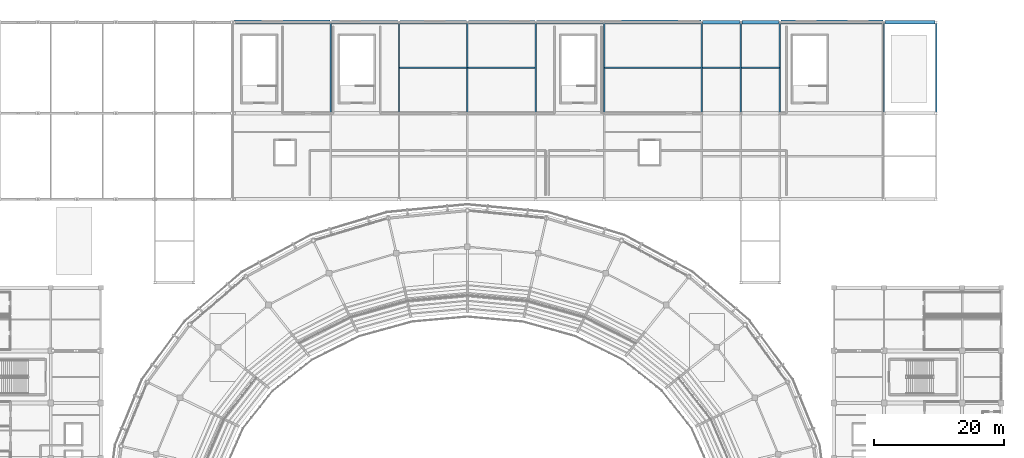
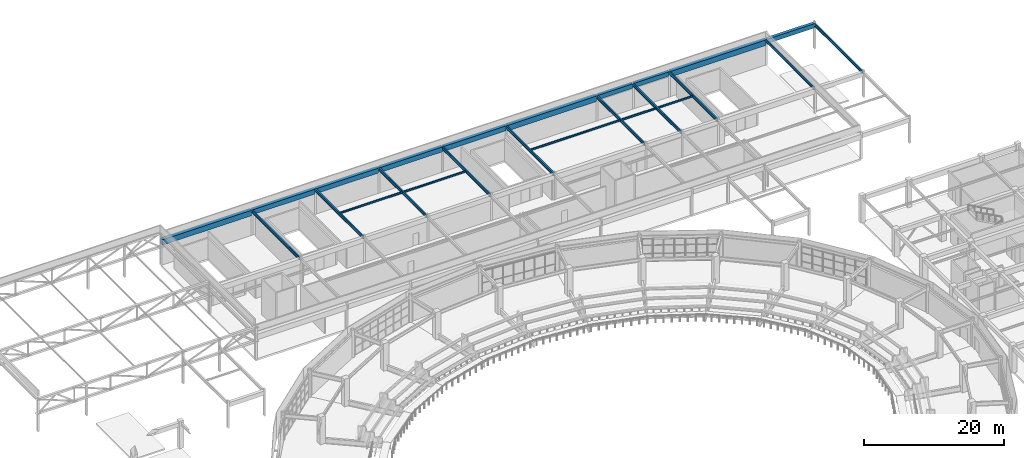
# One storey, part 76 of 122: 25 beams.
"""IFC4 building model written with IfcOpenShell, lengths in metres."""

from ifc_helpers import new_model, si_unit, direction, frame, origin, origin_2d, place, context, subcontext, project, spatial, rectangle, i_section, extrude, material, material_profile, profile_set, type_object, element, save


model = new_model("IFC4")

# Units and contexts
model_context = context("Model", 3, precision=1e-05, world=origin(), true_north=direction((0.0, 1.0)))
body_context = subcontext(model_context, "Body", "Model", "MODEL_VIEW")
ifc_project = project(units=[si_unit("LENGTHUNIT", "METRE"), si_unit("AREAUNIT", "SQUARE_METRE"), si_unit("VOLUMEUNIT", "CUBIC_METRE"), si_unit("PLANEANGLEUNIT", "RADIAN"), si_unit("MASSUNIT", "GRAM", prefix="KILO")], contexts=[model_context])

# Site, building, storey
site_placement = place(None, origin())
site = spatial("IfcSite", under=ifc_project, at=site_placement, CompositionType="ELEMENT")
building_placement = place(site_placement, origin())
building = spatial("IfcBuilding", under=site, at=building_placement, Name="Cuetzalor Civic Arena", CompositionType="ELEMENT")
storey_placement = place(building_placement, frame((0.0, 0.0, 16.199951171875)))
storey = spatial("IfcBuildingStorey", under=building, at=storey_placement, Name="L03", CompositionType="ELEMENT", Elevation=16.199951171875)

# Beams
ifc_material_1 = material(Name="Concrete C40/50", Category="concrete")
ifc_material_profile_1 = material_profile(ifc_material_1, rectangle(XDim=0.5, YDim=0.75, at=origin_2d()), Name="RC 500x750")
ifc_profile_set_1 = profile_set([ifc_material_profile_1], Name="Concrete C40/50")
beam_type_1 = type_object("IfcBeamType", Name="ConcreteFrameBeam_500x750", PredefinedType="BEAM", material=ifc_profile_set_1)
for number, where, z_axis, x_axis, name in (
    (1, (36.142578125, 75.5, 4.125), (1.0, 0.0, 0.0), (0.0, 1.0, 0.0), "Frame Girder V5-L03-X1057"),
    (2, (42.142578125, 75.5, 4.125), (1.0, 0.0, 0.0), (0.0, 1.0, 0.0), "Frame Girder V5-L03-X1058"),
):
    element("IfcBeam", number, at=place(storey_placement, frame(where, z_axis=z_axis, x_axis=x_axis)), inside=storey, type_object=beam_type_1, Name=name, PredefinedType="BEAM", context=body_context, shape_type="SweptSolid", body=[
        extrude(rectangle(XDim=0.5, YDim=0.75, at=origin_2d()), origin(), (0.0, 0.0, 1.0), 5.71484375),
    ])
beam_1_placement = place(storey_placement, frame((64.142578125, 75.5, 4.125), z_axis=(1.0, 0.0, 0.0), x_axis=(0.0, 1.0, 0.0)))
element("IfcBeam", 3, at=beam_1_placement, inside=storey, type_object=beam_type_1, Name="Frame Girder V5-L03-X1060", PredefinedType="BEAM", context=body_context, shape_type="SweptSolid", body=[
    extrude(rectangle(XDim=0.5, YDim=0.75, at=origin_2d()), origin(), (0.0, 0.0, 1.0), 7.71484375),
])
ifc_material_2 = material(Name="Concrete C40/50", Category="concrete")
ifc_material_profile_2 = material_profile(ifc_material_2, rectangle(XDim=0.550048828125, YDim=0.85009765625, at=origin_2d()), Name="RC 550x850")
ifc_profile_set_2 = profile_set([ifc_material_profile_2], Name="Concrete C40/50")
beam_type_2 = type_object("IfcBeamType", Name="ConcreteFrameBeam_550x850", PredefinedType="BEAM", material=ifc_profile_set_2)
for number, where, z_axis, x_axis, name in (
    (4, (-20.857421875, 75.5, 4.074951171875), (1.0, 0.0, 0.0), (0.0, 1.0, 0.0), "Frame Girder V5-L03-X1052"),
    (5, (-10.357421875, 75.5, 4.074951171875), (1.0, 0.0, 0.0), (0.0, 1.0, 0.0), "Frame Girder V5-L03-X1053"),
    (6, (0.142578125, 75.5, 4.074951171875), (1.0, 0.0, 0.0), (0.0, 1.0, 0.0), "Frame Girder V5-L03-X1054"),
    (7, (10.642578125, 75.5, 4.074951171875), (1.0, 0.0, 0.0), (0.0, 1.0, 0.0), "Frame Girder V5-L03-X1055"),
):
    element("IfcBeam", number, at=place(storey_placement, frame(where, z_axis=z_axis, x_axis=x_axis)), inside=storey, type_object=beam_type_2, Name=name, PredefinedType="BEAM", context=body_context, shape_type="SweptSolid", body=[
        extrude(rectangle(XDim=0.550048828125, YDim=0.85009765625, at=origin_2d()), origin(), (0.0, 0.0, 1.0), 10.21484375),
    ])
ifc_material_3 = material(Name="Concrete C40/50", Category="concrete")
ifc_material_profile_3 = material_profile(ifc_material_3, rectangle(XDim=0.60009765625, YDim=0.949951171875, at=origin_2d()), Name="RC 600x950")
ifc_profile_set_3 = profile_set([ifc_material_profile_3], Name="Concrete C40/50")
beam_type_3 = type_object("IfcBeamType", Name="ConcreteFrameBeam_600x950", PredefinedType="BEAM", material=ifc_profile_set_3)
for number, where, z_axis, x_axis, name in (
    (8, (-35.857421875, 75.5, 4.025146484375), (1.0, 0.0, 0.0), (0.0, 1.0, 0.0), "Frame Girder V5-L03-X1051"),
    (9, (21.142578125, 75.5, 4.025146484375), (1.0, 0.0, 0.0), (0.0, 1.0, 0.0), "Frame Girder V5-L03-X1056"),
):
    element("IfcBeam", number, at=place(storey_placement, frame(where, z_axis=z_axis, x_axis=x_axis)), inside=storey, type_object=beam_type_3, Name=name, PredefinedType="BEAM", context=body_context, shape_type="SweptSolid", body=[
        extrude(rectangle(XDim=0.60009765625, YDim=0.949951171875, at=origin_2d()), origin(), (0.0, 0.0, 1.0), 14.71484375),
    ])
beam_2_placement = place(storey_placement, frame((48.142578125, 75.5, 4.025146484375), z_axis=(1.0, 0.0, 0.0), x_axis=(0.0, 1.0, 0.0)))
element("IfcBeam", 10, at=beam_2_placement, inside=storey, type_object=beam_type_3, Name="Frame Girder V5-L03-X1059", PredefinedType="BEAM", context=body_context, shape_type="SweptSolid", body=[
    extrude(rectangle(XDim=0.60009765625, YDim=0.949951171875, at=origin_2d()), origin(), (0.0, 0.0, 1.0), 15.71484375),
])
ifc_material_4 = material(Name="Steel S355", Category="steel")
ifc_material_profile_4 = material_profile(ifc_material_4, i_section(OverallWidth=0.166015625, OverallDepth=0.31298828125, WebThickness=0.006591796875, FlangeThickness=0.01123046875, at=origin_2d()), Name="W310x45")
ifc_profile_set_4 = profile_set([ifc_material_profile_4], Name="Steel S355")
beam_type_4 = type_object("IfcBeamType", Name="SecondaryRoofJoist_W310", PredefinedType="JOIST", material=ifc_profile_set_4)
for number, where, z_axis, x_axis, name in (
    (11, (-10.403564453125, 68.5, 4.343505859375), (1.0, 0.0, 0.0), (0.0, 1.0, 0.0), "Secondary Floor Joist V5-L03-0323"),
    (12, (0.096435546875, 68.5, 4.343505859375), (1.0, 0.0, 0.0), (0.0, 1.0, 0.0), "Secondary Floor Joist V5-L03-0325"),
):
    element("IfcBeam", number, at=place(storey_placement, frame(where, z_axis=z_axis, x_axis=x_axis)), inside=storey, type_object=beam_type_4, Name=name, PredefinedType="JOIST", context=body_context, shape_type="SweptSolid", body=[
        extrude(i_section(OverallWidth=0.166015625, OverallDepth=0.31298828125, WebThickness=0.006591796875, FlangeThickness=0.01123046875, at=origin_2d()), origin(), (0.0, 0.0, 1.0), 10.30712890625),
    ])
beam_3_placement = place(storey_placement, frame((21.096435546875, 68.5, 4.343505859375), z_axis=(1.0, 0.0, 0.0), x_axis=(0.0, 1.0, 0.0)))
element("IfcBeam", 13, at=beam_3_placement, inside=storey, type_object=beam_type_4, Name="Secondary Floor Joist V5-L03-0328", PredefinedType="JOIST", context=body_context, shape_type="SweptSolid", body=[
    extrude(i_section(OverallWidth=0.166015625, OverallDepth=0.31298828125, WebThickness=0.006591796875, FlangeThickness=0.01123046875, at=origin_2d()), origin(), (0.0, 0.0, 1.0), 14.80712890625),
])
for number, where, z_axis, x_axis, name in (
    (14, (36.096435546875, 68.5, 4.343505859375), (1.0, 0.0, 0.0), (0.0, 1.0, 0.0), "Secondary Floor Joist V5-L03-0330"),
    (15, (42.096435546875, 68.5, 4.343505859375), (1.0, 0.0, 0.0), (0.0, 1.0, 0.0), "Secondary Floor Joist V5-L03-0333"),
):
    element("IfcBeam", number, at=place(storey_placement, frame(where, z_axis=z_axis, x_axis=x_axis)), inside=storey, type_object=beam_type_4, Name=name, PredefinedType="JOIST", context=body_context, shape_type="SweptSolid", body=[
        extrude(i_section(OverallWidth=0.166015625, OverallDepth=0.31298828125, WebThickness=0.006591796875, FlangeThickness=0.01123046875, at=origin_2d()), origin(), (0.0, 0.0, 1.0), 5.80712890625),
    ])
ifc_material_5 = material(Name="Steel S355", Category="steel")
ifc_material_profile_5 = material_profile(ifc_material_5, i_section(OverallWidth=0.208984375, OverallDepth=0.532958984375, WebThickness=0.01025390625, FlangeThickness=0.015625, at=origin_2d()), Name="W530x92")
ifc_profile_set_5 = profile_set([ifc_material_profile_5], Name="Steel S355")
beam_type_5 = type_object("IfcBeamType", Name="SteelCollarGirder_W530", PredefinedType="BEAM", material=ifc_profile_set_5)
for number, where, z_axis, x_axis, name in (
    (16, (-21.0, 61.64404296875, 4.233642578125), (0.0, 1.0, 0.0), (-1.0, 0.0, 0.0), "Frame Girder V5-L03-Y1068"),
    (17, (-10.5, 61.64404296875, 4.233642578125), (0.0, 1.0, 0.0), (-1.0, 0.0, 0.0), "Frame Girder V5-L03-Y1070"),
    (18, (0.0, 61.64404296875, 4.233642578125), (0.0, 1.0, 0.0), (-1.0, 0.0, 0.0), "Frame Girder V5-L03-Y1072"),
    (19, (10.5, 61.64404296875, 4.233642578125), (0.0, 1.0, 0.0), (-1.0, 0.0, 0.0), "Frame Girder V5-L03-Y1074"),
    (20, (21.0, 61.64404296875, 4.233642578125), (0.0, 1.0, 0.0), (-1.0, 0.0, 0.0), "Frame Girder V5-L03-Y1076"),
    (21, (36.0, 61.64404296875, 4.233642578125), (0.0, 1.0, 0.0), (-1.0, 0.0, 0.0), "Frame Girder V5-L03-Y1078"),
    (22, (42.0, 61.64404296875, 4.233642578125), (0.0, 1.0, 0.0), (-1.0, 0.0, 0.0), "Frame Girder V5-L03-Y1081"),
    (23, (48.0, 61.64404296875, 4.233642578125), (0.0, 1.0, 0.0), (-1.0, 0.0, 0.0), "Frame Girder V5-L03-Y1084"),
    (24, (64.0, 61.64404296875, 4.233642578125), (0.0, 1.0, 0.0), (-1.0, 0.0, 0.0), "Frame Girder V5-L03-Y1086"),
    (25, (72.0, 61.64404296875, 4.233642578125), (0.0, 1.0, 0.0), (-1.0, 0.0, 0.0), "Frame Girder V5-L03-Y1088"),
):
    element("IfcBeam", number, at=place(storey_placement, frame(where, z_axis=z_axis, x_axis=x_axis)), inside=storey, type_object=beam_type_5, Name=name, PredefinedType="BEAM", context=body_context, shape_type="SweptSolid", body=[
        extrude(i_section(OverallWidth=0.208984375, OverallDepth=0.532958984375, WebThickness=0.01025390625, FlangeThickness=0.015625, at=origin_2d()), origin(), (0.0, 0.0, 1.0), 13.7119140625),
    ])

save(model, "model.ifc")
